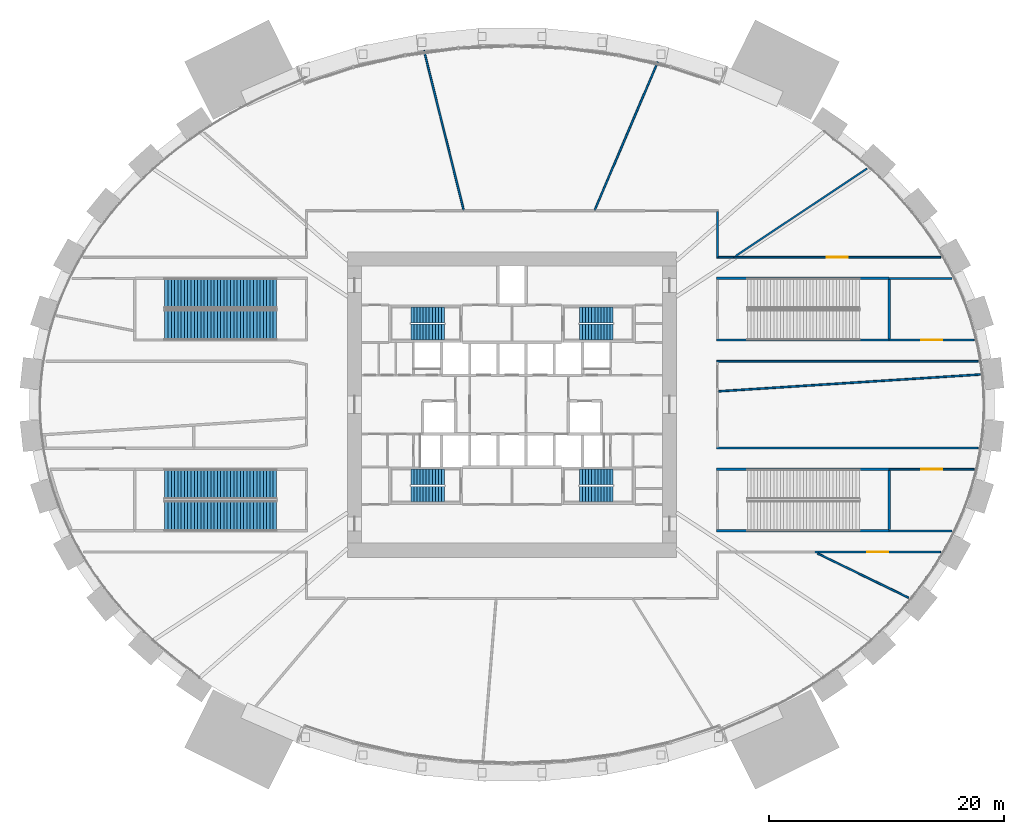
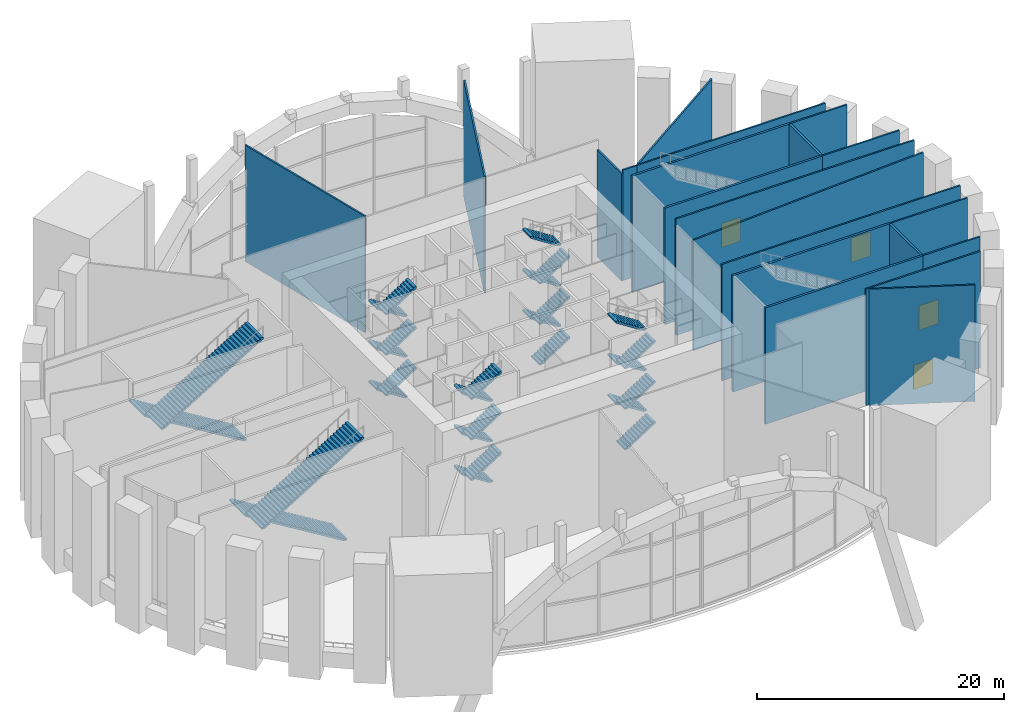
# One storey, part 11 of 21: 28 stair flights, 21 walls, 4 doors, 4 openings, 6 elements without a shape of their own.
"""IFC4 building model written with IfcOpenShell, lengths in metres."""

from ifc_helpers import new_model, si_unit, direction, frame, frame_2d, origin, place, context, subcontext, project, spatial, polyline, rectangle, outline, extrude, source, transform, mapped, material, layer, layer_set, type_object, element, fill, aggregate, save


model = new_model("IFC4")

# Units and contexts
model_context = context("Model", 3, precision=1e-05, world=origin(), true_north=direction((0.0, 1.0)))
body_context = subcontext(model_context, "Body", "Model", "MODEL_VIEW")
ifc_project = project(units=[si_unit("LENGTHUNIT", "METRE"), si_unit("AREAUNIT", "SQUARE_METRE"), si_unit("VOLUMEUNIT", "CUBIC_METRE"), si_unit("PLANEANGLEUNIT", "RADIAN"), si_unit("MASSUNIT", "GRAM", prefix="KILO")], contexts=[model_context])

# Site, building, storey
site_placement = place(None, origin())
site = spatial("IfcSite", under=ifc_project, at=site_placement, CompositionType="ELEMENT")
building_placement = place(site_placement, origin())
building = spatial("IfcBuilding", under=site, at=building_placement, Name="Embergate Tower", CompositionType="ELEMENT")
storey_placement = place(building_placement, frame((0.0, 0.0, 12.0)))
storey = spatial("IfcBuildingStorey", under=building, at=storey_placement, Name="L01", CompositionType="ELEMENT", Elevation=12.0)

# Walls
ifc_material_1 = material(Name="Plasterboard on steel stud", Category="steel")
ifc_layer_1 = layer(ifc_material_1, 0.14990234375)
ifc_layer_set_1 = layer_set([ifc_layer_1], Name="Plasterboard on steel stud")
wall_type_1 = type_object("IfcWallType", Name="Partition wall 150 board", PredefinedType="PARTITIONING", material=ifc_layer_set_1)
shared_shape_1 = source(origin(), body_context, "Body", "SweptSolid", [
    extrude(rectangle(XDim=5.3388671875, YDim=0.14990234375, at=frame_2d((2.66943359375, 0.0))), origin(), (0.0, 0.0, 1.0), 11.5),
])
for number, where, z_axis, x_axis, name in (
    (1, (32.1201171875, 10.75, 0.0), (0.0, 0.0, 1.0), (1.0, 0.0, 0.0), "Partition 064"),
    (2, (37.458984375, -10.75, 0.0), (0.0, 0.0, 1.0), (-1.0, 0.0, 0.0), "Partition 066"),
):
    element("IfcWall", number, at=place(storey_placement, frame(where, z_axis=z_axis, x_axis=x_axis)), inside=storey, type_object=wall_type_1, Name=name, PredefinedType="PARTITIONING", context=body_context, shape_type="MappedRepresentation", body=[
        mapped(shared_shape_1, transform((0.0, 0.0, 0.0))),
    ])
ifc_material_2 = material(Name="Concrete C40", Category="concrete")
ifc_layer_2 = layer(ifc_material_2, 0.199951171875)
ifc_layer_set_2 = layer_set([ifc_layer_2], Name="Concrete C40")
wall_type_2 = type_object("IfcWallType", Name="Stair enclosure wall RC 200", PredefinedType="STANDARD", material=ifc_layer_set_2)
shared_shape_2 = source(origin(), body_context, "Body", "SweptSolid", [
    extrude(rectangle(XDim=14.72021484375, YDim=0.199951171875, at=frame_2d((7.360107421875, 0.0))), origin(), (0.0, 0.0, 1.0), 11.5),
])
for number, where, z_axis, x_axis, name in (
    (3, (17.39990234375, -10.75, 0.0), (0.0, 0.0, 1.0), (1.0, 0.0, 0.0), "Stair wall 047"),
    (4, (17.39990234375, 5.5, 0.0), (0.0, 0.0, 1.0), (1.0, 0.0, 0.0), "Stair wall 052"),
    (5, (32.1201171875, -5.5, 0.0), (0.0, 0.0, 1.0), (-1.0, 0.0, 0.0), "Stair wall 060"),
    (6, (32.1201171875, 10.75, 0.0), (0.0, 0.0, 1.0), (-1.0, 0.0, 0.0), "Stair wall 063"),
):
    element("IfcWall", number, at=place(storey_placement, frame(where, z_axis=z_axis, x_axis=x_axis)), inside=storey, type_object=wall_type_2, Name=name, PredefinedType="STANDARD", context=body_context, shape_type="MappedRepresentation", body=[
        mapped(shared_shape_2, transform((0.0, 0.0, 0.0))),
    ])
shared_shape_3 = source(origin(), body_context, "Body", "SweptSolid", [
    extrude(rectangle(XDim=5.0498046875, YDim=0.199951171875, at=frame_2d((2.52490234375, 0.0))), origin(), (0.0, 0.0, 1.0), 11.5),
])
for number, where, z_axis, x_axis, name in (
    (7, (32.1201171875, -10.64990234375, 0.0), (0.0, 0.0, 1.0), (0.0, 1.0, 0.0), "Stair wall 059"),
    (8, (32.1201171875, 5.60009765625, 0.0), (0.0, 0.0, 1.0), (0.0, 1.0, 0.0), "Stair wall 062"),
):
    element("IfcWall", number, at=place(storey_placement, frame(where, z_axis=z_axis, x_axis=x_axis)), inside=storey, type_object=wall_type_2, Name=name, PredefinedType="STANDARD", context=body_context, shape_type="MappedRepresentation", body=[
        mapped(shared_shape_3, transform((0.0, 0.0, 0.0))),
    ])
shared_shape_4 = source(origin(), body_context, "Body", "SweptSolid", [
    extrude(rectangle(XDim=13.994873046875, YDim=0.14990234375, at=frame_2d((6.99755859375, 0.0))), origin(), (0.0, 0.0, 1.0), 11.5),
])
wall_1_placement = place(storey_placement, frame((-4.117919921875, 16.572998046875, 0.0), z_axis=(0.0, 0.0, 1.0), x_axis=(-0.24109049601, 0.97050263922, 0.0)))
element("IfcWall", 9, at=wall_1_placement, inside=storey, type_object=wall_type_1, Name="Partition 036", PredefinedType="PARTITIONING", context=body_context, shape_type="MappedRepresentation", body=[
    mapped(shared_shape_4, transform((0.0, 0.0, 0.0))),
])
shared_shape_5 = source(origin(), body_context, "Body", "SweptSolid", [
    extrude(rectangle(XDim=13.70556640625, YDim=0.14990234375, at=frame_2d((6.852783203125, 0.0))), origin(), (0.0, 0.0, 1.0), 11.5),
])
wall_2_placement = place(storey_placement, frame((7.047119140625, 16.569091796875, 0.0), z_axis=(0.0, 0.0, 1.0), x_axis=(0.391447660202, 0.92020037455, 0.0)))
element("IfcWall", 10, at=wall_2_placement, inside=storey, type_object=wall_type_1, Name="Partition 040", PredefinedType="PARTITIONING", context=body_context, shape_type="MappedRepresentation", body=[
    mapped(shared_shape_5, transform((0.0, 0.0, 0.0))),
])
shared_shape_6 = source(origin(), body_context, "Body", "SweptSolid", [
    extrude(rectangle(XDim=22.27099609375, YDim=0.14990234375, at=frame_2d((11.135498046875, 0.0))), origin(), (0.0, 0.0, 1.0), 11.5),
])
for number, where, z_axis, x_axis, name in (
    (11, (17.425048828125, 3.699951171875, 0.0), (0.0, 0.0, 1.0), (1.0, 0.0, 0.0), "Partition 051"),
    (12, (39.696044921875, -3.699951171875, 0.0), (0.0, 0.0, 1.0), (-1.0, 0.0, 0.0), "Partition 068"),
):
    element("IfcWall", number, at=place(storey_placement, frame(where, z_axis=z_axis, x_axis=x_axis)), inside=storey, type_object=wall_type_1, Name=name, PredefinedType="PARTITIONING", context=body_context, shape_type="MappedRepresentation", body=[
        mapped(shared_shape_6, transform((0.0, 0.0, 0.0))),
    ])
shared_shape_7 = source(origin(), body_context, "Body", "SweptSolid", [
    extrude(rectangle(XDim=3.949951171875, YDim=0.14990234375, at=frame_2d((1.97509765625, 0.0))), origin(), (0.0, 0.0, 1.0), 10.60009765625),
])
wall_3_placement = place(storey_placement, frame((17.5, 16.425048828125, 0.0), z_axis=(0.0, 0.0, 1.0), x_axis=(0.0, -1.0, 0.0)))
element("IfcWall", 13, at=wall_3_placement, inside=storey, type_object=wall_type_1, Name="Partition 054", PredefinedType="PARTITIONING", context=body_context, shape_type="MappedRepresentation", body=[
    mapped(shared_shape_7, transform((0.0, 0.0, 0.0))),
])
shared_shape_8 = source(origin(), body_context, "Body", "SweptSolid", [
    extrude(rectangle(XDim=1.302978515625, YDim=0.14990234375, at=frame_2d((0.6513671875, 0.0))), origin(), (0.0, 0.0, 1.0), 10.912109375),
])
wall_4_placement = place(storey_placement, frame((18.8779296875, 12.550048828125, 0.0), z_axis=(0.0, 0.0, 1.0), x_axis=(-1.0, 0.0, 0.0)))
element("IfcWall", 14, at=wall_4_placement, inside=storey, type_object=wall_type_1, Name="Partition 055", PredefinedType="PARTITIONING", context=body_context, shape_type="MappedRepresentation", body=[
    mapped(shared_shape_8, transform((0.0, 0.0, 0.0))),
])
shared_shape_9 = source(origin(), body_context, "Body", "SweptSolid", [
    extrude(rectangle(XDim=13.414794921875, YDim=0.14990234375, at=frame_2d((6.70751953125, 0.0))), origin(), (0.0, 0.0, 1.0), 10.912109375),
])
wall_5_placement = place(storey_placement, frame((19.056884765625, 12.6689453125, 0.0), z_axis=(0.0, 0.0, 1.0), x_axis=(0.832752405453, 0.553645582671, 0.0)))
element("IfcWall", 15, at=wall_5_placement, inside=storey, type_object=wall_type_1, Name="Partition 056", PredefinedType="PARTITIONING", context=body_context, shape_type="MappedRepresentation", body=[
    mapped(shared_shape_9, transform((0.0, 0.0, 0.0))),
])
shared_shape_10 = source(origin(), body_context, "Body", "SweptSolid", [
    extrude(rectangle(XDim=8.610107421875, YDim=0.14990234375, at=frame_2d((4.30517578125, 0.0))), origin(), (0.0, 0.0, 1.0), 11.5),
])
wall_6_placement = place(storey_placement, frame((26.02587890625, -12.675048828125, 0.0), z_axis=(0.0, 0.0, 1.0), x_axis=(0.899095761288, -0.437751998321, 0.0)))
element("IfcWall", 16, at=wall_6_placement, inside=storey, type_object=wall_type_1, Name="Partition 057", PredefinedType="PARTITIONING", context=body_context, shape_type="MappedRepresentation", body=[
    mapped(shared_shape_10, transform((0.0, 0.0, 0.0))),
])

# Wall, opening, door
shared_shape_11 = source(origin(), body_context, "Body", "SweptSolid", [
    extrude(rectangle(XDim=10.719970703125, YDim=0.14990234375, at=frame_2d((5.35986328125, 0.0))), origin(), (0.0, 0.0, 1.0), 11.5),
])
wall_7_placement = place(storey_placement, frame((25.77001953125, -12.550048828125, 0.0), z_axis=(0.0, 0.0, 1.0), x_axis=(1.0, 0.0, 0.0)))
wall_7 = element("IfcWall", 17, at=wall_7_placement, inside=storey, type_object=wall_type_1, Name="Partition 058", PredefinedType="PARTITIONING", context=body_context, shape_type="MappedRepresentation", body=[
    mapped(shared_shape_11, transform((0.0, 0.0, 0.0))),
])
shared_shape_12 = source(origin(), body_context, "Body", "SweptSolid", [
    extrude(rectangle(XDim=1.800048828125, YDim=2.39990234375, at=frame_2d((0.89990234375, 1.199951171875))), frame((0.0, 0.0849609375, 0.0), z_axis=(0.0, -1.0, 0.0), x_axis=(1.0, 0.0, 0.0)), (0.0, 0.0, 1.0), 0.169921875),
])
opening_1_placement = place(wall_7_placement, frame((4.4599609375, 0.0, 0.0)))
opening_1 = element("IfcOpeningElement", 18, at=opening_1_placement, cuts=wall_7, Name="Opening DS-039", PredefinedType="OPENING", context=body_context, shape_type="MappedRepresentation", body=[
    mapped(shared_shape_12, transform((0.0, 0.0, 0.0))),
])
ifc_material_3 = material(Name="Timber door leaf, steel frame", Category="steel")
door_type = type_object("IfcDoorType", Name="Double door 1800x2400", OperationType="DOUBLE_DOOR_SINGLE_SWING", PredefinedType="DOOR", material=ifc_material_3)
shared_shape_13 = source(origin(), body_context, "Body", "SweptSolid", [
    extrude(rectangle(XDim=1.800048828125, YDim=2.39990234375, at=frame_2d((0.89990234375, 1.199951171875))), frame((0.0, 0.02490234375, 0.0), z_axis=(0.0, -1.0, 0.0), x_axis=(1.0, 0.0, 0.0)), (0.0, 0.0, 1.0), 0.050048828125),
])
door_1_placement = place(opening_1_placement, origin())
door_1 = element("IfcDoor", 19, at=door_1_placement, inside=storey, type_object=door_type, Name="Door to Cafe", OperationType="SINGLE_SWING_LEFT", OverallHeight=2.39990234375, OverallWidth=1.800048828125, PredefinedType="DOOR", context=body_context, shape_type="MappedRepresentation", body=[
    mapped(shared_shape_13, transform((0.0, 0.0, 0.0))),
])
fill(opening_1, door_1)

shared_shape_14 = source(origin(), body_context, "Body", "SweptSolid", [
    extrude(rectangle(XDim=7.222900390625, YDim=0.14990234375, at=frame_2d((3.611328125, 0.0))), origin(), (0.0, 0.0, 1.0), 11.5),
])
wall_8_placement = place(storey_placement, frame((32.1201171875, -5.5, 0.0), z_axis=(0.0, 0.0, 1.0), x_axis=(1.0, 0.0, 0.0)))
wall_8 = element("IfcWall", 20, at=wall_8_placement, inside=storey, type_object=wall_type_1, Name="Partition 061", PredefinedType="PARTITIONING", context=body_context, shape_type="MappedRepresentation", body=[
    mapped(shared_shape_14, transform((0.0, 0.0, 0.0))),
])
opening_2_placement = place(wall_8_placement, frame((2.7119140625, 0.0, 0.0)))
opening_2 = element("IfcOpeningElement", 21, at=opening_2_placement, cuts=wall_8, Name="Opening DS-040", PredefinedType="OPENING", context=body_context, shape_type="MappedRepresentation", body=[
    mapped(shared_shape_12, transform((0.0, 0.0, 0.0))),
])
door_2_placement = place(opening_2_placement, origin())
door_2 = element("IfcDoor", 22, at=door_2_placement, inside=storey, type_object=door_type, Name="Door to Cafe", OperationType="SINGLE_SWING_LEFT", OverallHeight=2.39990234375, OverallWidth=1.800048828125, PredefinedType="DOOR", context=body_context, shape_type="MappedRepresentation", body=[
    mapped(shared_shape_13, transform((0.0, 0.0, 0.0))),
])
fill(opening_2, door_2)

wall_9_placement = place(storey_placement, frame((39.343017578125, 5.5, 0.0), z_axis=(0.0, 0.0, 1.0), x_axis=(-1.0, 0.0, 0.0)))
wall_9 = element("IfcWall", 23, at=wall_9_placement, inside=storey, type_object=wall_type_1, Name="Partition 067", PredefinedType="PARTITIONING", context=body_context, shape_type="MappedRepresentation", body=[
    mapped(shared_shape_14, transform((0.0, 0.0, 0.0))),
])
opening_3_placement = place(wall_9_placement, frame((2.7119140625, 0.0, 0.0)))
opening_3 = element("IfcOpeningElement", 24, at=opening_3_placement, cuts=wall_9, Name="Opening DS-022", PredefinedType="OPENING", context=body_context, shape_type="MappedRepresentation", body=[
    mapped(shared_shape_12, transform((0.0, 0.0, 0.0))),
])
door_3_placement = place(opening_3_placement, origin())
door_3 = element("IfcDoor", 25, at=door_3_placement, inside=storey, type_object=door_type, Name="Door to Restaurant", OperationType="SINGLE_SWING_LEFT", OverallHeight=2.39990234375, OverallWidth=1.800048828125, PredefinedType="DOOR", context=body_context, shape_type="MappedRepresentation", body=[
    mapped(shared_shape_13, transform((0.0, 0.0, 0.0))),
])
fill(opening_3, door_3)

shared_shape_15 = source(origin(), body_context, "Body", "SweptSolid", [
    extrude(rectangle(XDim=17.612060546875, YDim=0.14990234375, at=frame_2d((8.80615234375, 0.0))), origin(), (0.0, 0.0, 1.0), 10.912109375),
])
wall_10_placement = place(storey_placement, frame((36.489990234375, 12.550048828125, 0.0), z_axis=(0.0, 0.0, 1.0), x_axis=(-1.0, 0.0, 0.0)))
wall_10 = element("IfcWall", 26, at=wall_10_placement, inside=storey, type_object=wall_type_1, Name="Partition 065", PredefinedType="PARTITIONING", context=body_context, shape_type="MappedRepresentation", body=[
    mapped(shared_shape_15, transform((0.0, 0.0, 0.0))),
])
opening_4_placement = place(wall_10_placement, frame((7.906005859375, 0.0, 0.0)))
opening_4 = element("IfcOpeningElement", 27, at=opening_4_placement, cuts=wall_10, Name="Opening DS-023", PredefinedType="OPENING", context=body_context, shape_type="MappedRepresentation", body=[
    mapped(shared_shape_12, transform((0.0, 0.0, 0.0))),
])
door_4_placement = place(opening_4_placement, origin())
door_4 = element("IfcDoor", 28, at=door_4_placement, inside=storey, type_object=door_type, Name="Door to Restaurant", OperationType="SINGLE_SWING_LEFT", OverallHeight=2.39990234375, OverallWidth=1.800048828125, PredefinedType="DOOR", context=body_context, shape_type="MappedRepresentation", body=[
    mapped(shared_shape_13, transform((0.0, 0.0, 0.0))),
])
fill(opening_4, door_4)

# Wall
shared_shape_16 = source(origin(), body_context, "Body", "SweptSolid", [
    extrude(rectangle(XDim=22.3291015625, YDim=0.14990234375, at=frame_2d((11.16455078125, 0.0))), origin(), (0.0, 0.0, 1.0), 10.912109375),
])
wall_11_placement = place(storey_placement, frame((39.85791015625, 2.56591796875, 0.0), z_axis=(0.0, 0.0, 1.0), x_axis=(-0.997936149244, -0.064214032984, 0.0)))
element("IfcWall", 29, at=wall_11_placement, inside=storey, type_object=wall_type_1, Name="Partition 069", PredefinedType="PARTITIONING", context=body_context, shape_type="MappedRepresentation", body=[
    mapped(shared_shape_16, transform((0.0, 0.0, 0.0))),
])

# Stair, stair flights
ifc_material_4 = material(Name="Exit stair")
stair_type_1 = type_object("IfcStairType", Name="Exit stair", PredefinedType="HALF_TURN_STAIR", material=ifc_material_4)
stair_1_placement = place(storey_placement, origin())
stair_1 = element("IfcStair", 30, at=stair_1_placement, inside=storey, type_object=stair_type_1, Name="L01 Exit stair 1", PredefinedType="HALF_TURN_STAIR")
stair_flight_type_1 = type_object("IfcStairFlightType", Name="Stair flight reinforced concrete", PredefinedType="STRAIGHT", material=ifc_material_2)
shared_shape_17 = source(origin(), body_context, "Body", "SweptSolid", [
    extrude(outline(polyline([(0.0, 0.0), (0.0, 0.166748046875), (0.260009765625, 0.166748046875), (0.260009765625, 0.333251953125), (0.52001953125, 0.333251953125), (0.52001953125, 0.5), (0.780029296875, 0.5), (0.780029296875, 0.666748046875), (1.0400390625, 0.666748046875), (1.0400390625, 0.833251953125), (1.300048828125, 0.833251953125), (1.300048828125, 1.0), (1.56005859375, 1.0), (1.56005859375, 1.166748046875), (1.820068359375, 1.166748046875), (1.820068359375, 1.333251953125), (2.080078125, 1.333251953125), (2.080078125, 1.5), (2.340087890625, 1.5), (2.340087890625, 1.666748046875), (2.60009765625, 1.666748046875), (2.60009765625, 1.833251953125), (2.860107421875, 1.833251953125), (2.860107421875, 2.0), (2.860107421875, 1.6552734375), (0.27783203125, 0.0), (0.0, 0.0)])), frame((0.0, 0.675048828125, 0.0), z_axis=(0.0, -1.0, 0.0), x_axis=(1.0, 0.0, 0.0)), (0.0, 0.0, 1.0), 1.35009765625),
])
stair_flight_1_placement = place(storey_placement, frame((-5.75, 7.625, 0.0), z_axis=(0.0, 0.0, 1.0), x_axis=(-1.0, 0.0, 0.0)))
stair_flight_1 = element("IfcStairFlight", 31, at=stair_flight_1_placement, type_object=stair_flight_type_1, Name="ST1 flight 1", NumberOfRisers=12, NumberOfTreads=11, PredefinedType="STRAIGHT", RiserHeight=0.166666667, TreadLength=0.26, context=body_context, shape_type="MappedRepresentation", body=[
    mapped(shared_shape_17, transform((0.0, 0.0, 0.0))),
])
stair_flight_2_placement = place(storey_placement, frame((-8.610107421875, 6.175048828125, 2.0), z_axis=(0.0, 0.0, 1.0), x_axis=(1.0, 0.0, 0.0)))
stair_flight_2 = element("IfcStairFlight", 32, at=stair_flight_2_placement, type_object=stair_flight_type_1, Name="ST1 flight 2", NumberOfRisers=12, NumberOfTreads=11, PredefinedType="STRAIGHT", RiserHeight=0.166666667, TreadLength=0.26, context=body_context, shape_type="MappedRepresentation", body=[
    mapped(shared_shape_17, transform((0.0, 0.0, 0.0))),
])
stair_flight_3_placement = place(storey_placement, frame((-5.75, 7.625, 4.0), z_axis=(0.0, 0.0, 1.0), x_axis=(-1.0, 0.0, 0.0)))
stair_flight_3 = element("IfcStairFlight", 33, at=stair_flight_3_placement, type_object=stair_flight_type_1, Name="ST1 flight 3", NumberOfRisers=12, NumberOfTreads=11, PredefinedType="STRAIGHT", RiserHeight=0.166666667, TreadLength=0.26, context=body_context, shape_type="MappedRepresentation", body=[
    mapped(shared_shape_17, transform((0.0, 0.0, 0.0))),
])
stair_flight_4_placement = place(storey_placement, frame((-8.610107421875, 6.175048828125, 6.0), z_axis=(0.0, 0.0, 1.0), x_axis=(1.0, 0.0, 0.0)))
stair_flight_4 = element("IfcStairFlight", 34, at=stair_flight_4_placement, type_object=stair_flight_type_1, Name="ST1 flight 4", NumberOfRisers=12, NumberOfTreads=11, PredefinedType="STRAIGHT", RiserHeight=0.166666667, TreadLength=0.26, context=body_context, shape_type="MappedRepresentation", body=[
    mapped(shared_shape_17, transform((0.0, 0.0, 0.0))),
])
stair_flight_5_placement = place(storey_placement, frame((-5.75, 7.625, 8.0), z_axis=(0.0, 0.0, 1.0), x_axis=(-1.0, 0.0, 0.0)))
stair_flight_5 = element("IfcStairFlight", 35, at=stair_flight_5_placement, type_object=stair_flight_type_1, Name="ST1 flight 5", NumberOfRisers=12, NumberOfTreads=11, PredefinedType="STRAIGHT", RiserHeight=0.166666667, TreadLength=0.26, context=body_context, shape_type="MappedRepresentation", body=[
    mapped(shared_shape_17, transform((0.0, 0.0, 0.0))),
])
stair_flight_6_placement = place(storey_placement, frame((-8.610107421875, 6.175048828125, 10.0), z_axis=(0.0, 0.0, 1.0), x_axis=(1.0, 0.0, 0.0)))
stair_flight_6 = element("IfcStairFlight", 36, at=stair_flight_6_placement, type_object=stair_flight_type_1, Name="ST1 flight 6", NumberOfRisers=12, NumberOfTreads=11, PredefinedType="STRAIGHT", RiserHeight=0.166666667, TreadLength=0.26, context=body_context, shape_type="MappedRepresentation", body=[
    mapped(shared_shape_17, transform((0.0, 0.0, 0.0))),
])
aggregate(stair_1, [stair_flight_1, stair_flight_2, stair_flight_3, stair_flight_4, stair_flight_5, stair_flight_6])

stair_2_placement = place(storey_placement, origin())
stair_2 = element("IfcStair", 37, at=stair_2_placement, inside=storey, type_object=stair_type_1, Name="L01 Exit stair 2", PredefinedType="HALF_TURN_STAIR")
stair_flight_7_placement = place(storey_placement, frame((5.75, 6.175048828125, 0.0), z_axis=(0.0, 0.0, 1.0), x_axis=(1.0, 0.0, 0.0)))
stair_flight_7 = element("IfcStairFlight", 38, at=stair_flight_7_placement, type_object=stair_flight_type_1, Name="ST2 flight 1", NumberOfRisers=12, NumberOfTreads=11, PredefinedType="STRAIGHT", RiserHeight=0.166666667, TreadLength=0.26, context=body_context, shape_type="MappedRepresentation", body=[
    mapped(shared_shape_17, transform((0.0, 0.0, 0.0))),
])
stair_flight_8_placement = place(storey_placement, frame((8.610107421875, 7.625, 2.0), z_axis=(0.0, 0.0, 1.0), x_axis=(-1.0, 0.0, 0.0)))
stair_flight_8 = element("IfcStairFlight", 39, at=stair_flight_8_placement, type_object=stair_flight_type_1, Name="ST2 flight 2", NumberOfRisers=12, NumberOfTreads=11, PredefinedType="STRAIGHT", RiserHeight=0.166666667, TreadLength=0.26, context=body_context, shape_type="MappedRepresentation", body=[
    mapped(shared_shape_17, transform((0.0, 0.0, 0.0))),
])
stair_flight_9_placement = place(storey_placement, frame((5.75, 6.175048828125, 4.0), z_axis=(0.0, 0.0, 1.0), x_axis=(1.0, 0.0, 0.0)))
stair_flight_9 = element("IfcStairFlight", 40, at=stair_flight_9_placement, type_object=stair_flight_type_1, Name="ST2 flight 3", NumberOfRisers=12, NumberOfTreads=11, PredefinedType="STRAIGHT", RiserHeight=0.166666667, TreadLength=0.26, context=body_context, shape_type="MappedRepresentation", body=[
    mapped(shared_shape_17, transform((0.0, 0.0, 0.0))),
])
stair_flight_10_placement = place(storey_placement, frame((8.610107421875, 7.625, 6.0), z_axis=(0.0, 0.0, 1.0), x_axis=(-1.0, 0.0, 0.0)))
stair_flight_10 = element("IfcStairFlight", 41, at=stair_flight_10_placement, type_object=stair_flight_type_1, Name="ST2 flight 4", NumberOfRisers=12, NumberOfTreads=11, PredefinedType="STRAIGHT", RiserHeight=0.166666667, TreadLength=0.26, context=body_context, shape_type="MappedRepresentation", body=[
    mapped(shared_shape_17, transform((0.0, 0.0, 0.0))),
])
stair_flight_11_placement = place(storey_placement, frame((5.75, 6.175048828125, 8.0), z_axis=(0.0, 0.0, 1.0), x_axis=(1.0, 0.0, 0.0)))
stair_flight_11 = element("IfcStairFlight", 42, at=stair_flight_11_placement, type_object=stair_flight_type_1, Name="ST2 flight 5", NumberOfRisers=12, NumberOfTreads=11, PredefinedType="STRAIGHT", RiserHeight=0.166666667, TreadLength=0.26, context=body_context, shape_type="MappedRepresentation", body=[
    mapped(shared_shape_17, transform((0.0, 0.0, 0.0))),
])
stair_flight_12_placement = place(storey_placement, frame((8.610107421875, 7.625, 10.0), z_axis=(0.0, 0.0, 1.0), x_axis=(-1.0, 0.0, 0.0)))
stair_flight_12 = element("IfcStairFlight", 43, at=stair_flight_12_placement, type_object=stair_flight_type_1, Name="ST2 flight 6", NumberOfRisers=12, NumberOfTreads=11, PredefinedType="STRAIGHT", RiserHeight=0.166666667, TreadLength=0.26, context=body_context, shape_type="MappedRepresentation", body=[
    mapped(shared_shape_17, transform((0.0, 0.0, 0.0))),
])
aggregate(stair_2, [stair_flight_7, stair_flight_8, stair_flight_9, stair_flight_10, stair_flight_11, stair_flight_12])

stair_3_placement = place(storey_placement, origin())
stair_3 = element("IfcStair", 44, at=stair_3_placement, inside=storey, type_object=stair_type_1, Name="L01 Exit stair 3", PredefinedType="HALF_TURN_STAIR")
stair_flight_13_placement = place(storey_placement, frame((-5.75, -6.175048828125, 0.0), z_axis=(0.0, 0.0, 1.0), x_axis=(-1.0, 0.0, 0.0)))
stair_flight_13 = element("IfcStairFlight", 45, at=stair_flight_13_placement, type_object=stair_flight_type_1, Name="ST3 flight 1", NumberOfRisers=12, NumberOfTreads=11, PredefinedType="STRAIGHT", RiserHeight=0.166666667, TreadLength=0.26, context=body_context, shape_type="MappedRepresentation", body=[
    mapped(shared_shape_17, transform((0.0, 0.0, 0.0))),
])
stair_flight_14_placement = place(storey_placement, frame((-8.610107421875, -7.625, 2.0), z_axis=(0.0, 0.0, 1.0), x_axis=(1.0, 0.0, 0.0)))
stair_flight_14 = element("IfcStairFlight", 46, at=stair_flight_14_placement, type_object=stair_flight_type_1, Name="ST3 flight 2", NumberOfRisers=12, NumberOfTreads=11, PredefinedType="STRAIGHT", RiserHeight=0.166666667, TreadLength=0.26, context=body_context, shape_type="MappedRepresentation", body=[
    mapped(shared_shape_17, transform((0.0, 0.0, 0.0))),
])
stair_flight_15_placement = place(storey_placement, frame((-5.75, -6.175048828125, 4.0), z_axis=(0.0, 0.0, 1.0), x_axis=(-1.0, 0.0, 0.0)))
stair_flight_15 = element("IfcStairFlight", 47, at=stair_flight_15_placement, type_object=stair_flight_type_1, Name="ST3 flight 3", NumberOfRisers=12, NumberOfTreads=11, PredefinedType="STRAIGHT", RiserHeight=0.166666667, TreadLength=0.26, context=body_context, shape_type="MappedRepresentation", body=[
    mapped(shared_shape_17, transform((0.0, 0.0, 0.0))),
])
stair_flight_16_placement = place(storey_placement, frame((-8.610107421875, -7.625, 6.0), z_axis=(0.0, 0.0, 1.0), x_axis=(1.0, 0.0, 0.0)))
stair_flight_16 = element("IfcStairFlight", 48, at=stair_flight_16_placement, type_object=stair_flight_type_1, Name="ST3 flight 4", NumberOfRisers=12, NumberOfTreads=11, PredefinedType="STRAIGHT", RiserHeight=0.166666667, TreadLength=0.26, context=body_context, shape_type="MappedRepresentation", body=[
    mapped(shared_shape_17, transform((0.0, 0.0, 0.0))),
])
stair_flight_17_placement = place(storey_placement, frame((-5.75, -6.175048828125, 8.0), z_axis=(0.0, 0.0, 1.0), x_axis=(-1.0, 0.0, 0.0)))
stair_flight_17 = element("IfcStairFlight", 49, at=stair_flight_17_placement, type_object=stair_flight_type_1, Name="ST3 flight 5", NumberOfRisers=12, NumberOfTreads=11, PredefinedType="STRAIGHT", RiserHeight=0.166666667, TreadLength=0.26, context=body_context, shape_type="MappedRepresentation", body=[
    mapped(shared_shape_17, transform((0.0, 0.0, 0.0))),
])
stair_flight_18_placement = place(storey_placement, frame((-8.610107421875, -7.625, 10.0), z_axis=(0.0, 0.0, 1.0), x_axis=(1.0, 0.0, 0.0)))
stair_flight_18 = element("IfcStairFlight", 50, at=stair_flight_18_placement, type_object=stair_flight_type_1, Name="ST3 flight 6", NumberOfRisers=12, NumberOfTreads=11, PredefinedType="STRAIGHT", RiserHeight=0.166666667, TreadLength=0.26, context=body_context, shape_type="MappedRepresentation", body=[
    mapped(shared_shape_17, transform((0.0, 0.0, 0.0))),
])
aggregate(stair_3, [stair_flight_13, stair_flight_14, stair_flight_15, stair_flight_16, stair_flight_17, stair_flight_18])

stair_4_placement = place(storey_placement, origin())
stair_4 = element("IfcStair", 51, at=stair_4_placement, inside=storey, type_object=stair_type_1, Name="L01 Exit stair 4", PredefinedType="HALF_TURN_STAIR")
stair_flight_19_placement = place(storey_placement, frame((5.75, -7.625, 0.0), z_axis=(0.0, 0.0, 1.0), x_axis=(1.0, 0.0, 0.0)))
stair_flight_19 = element("IfcStairFlight", 52, at=stair_flight_19_placement, type_object=stair_flight_type_1, Name="ST4 flight 1", NumberOfRisers=12, NumberOfTreads=11, PredefinedType="STRAIGHT", RiserHeight=0.166666667, TreadLength=0.26, context=body_context, shape_type="MappedRepresentation", body=[
    mapped(shared_shape_17, transform((0.0, 0.0, 0.0))),
])
stair_flight_20_placement = place(storey_placement, frame((8.610107421875, -6.175048828125, 2.0), z_axis=(0.0, 0.0, 1.0), x_axis=(-1.0, 0.0, 0.0)))
stair_flight_20 = element("IfcStairFlight", 53, at=stair_flight_20_placement, type_object=stair_flight_type_1, Name="ST4 flight 2", NumberOfRisers=12, NumberOfTreads=11, PredefinedType="STRAIGHT", RiserHeight=0.166666667, TreadLength=0.26, context=body_context, shape_type="MappedRepresentation", body=[
    mapped(shared_shape_17, transform((0.0, 0.0, 0.0))),
])
stair_flight_21_placement = place(storey_placement, frame((5.75, -7.625, 4.0), z_axis=(0.0, 0.0, 1.0), x_axis=(1.0, 0.0, 0.0)))
stair_flight_21 = element("IfcStairFlight", 54, at=stair_flight_21_placement, type_object=stair_flight_type_1, Name="ST4 flight 3", NumberOfRisers=12, NumberOfTreads=11, PredefinedType="STRAIGHT", RiserHeight=0.166666667, TreadLength=0.26, context=body_context, shape_type="MappedRepresentation", body=[
    mapped(shared_shape_17, transform((0.0, 0.0, 0.0))),
])
stair_flight_22_placement = place(storey_placement, frame((8.610107421875, -6.175048828125, 6.0), z_axis=(0.0, 0.0, 1.0), x_axis=(-1.0, 0.0, 0.0)))
stair_flight_22 = element("IfcStairFlight", 55, at=stair_flight_22_placement, type_object=stair_flight_type_1, Name="ST4 flight 4", NumberOfRisers=12, NumberOfTreads=11, PredefinedType="STRAIGHT", RiserHeight=0.166666667, TreadLength=0.26, context=body_context, shape_type="MappedRepresentation", body=[
    mapped(shared_shape_17, transform((0.0, 0.0, 0.0))),
])
stair_flight_23_placement = place(storey_placement, frame((5.75, -7.625, 8.0), z_axis=(0.0, 0.0, 1.0), x_axis=(1.0, 0.0, 0.0)))
stair_flight_23 = element("IfcStairFlight", 56, at=stair_flight_23_placement, type_object=stair_flight_type_1, Name="ST4 flight 5", NumberOfRisers=12, NumberOfTreads=11, PredefinedType="STRAIGHT", RiserHeight=0.166666667, TreadLength=0.26, context=body_context, shape_type="MappedRepresentation", body=[
    mapped(shared_shape_17, transform((0.0, 0.0, 0.0))),
])
stair_flight_24_placement = place(storey_placement, frame((8.610107421875, -6.175048828125, 10.0), z_axis=(0.0, 0.0, 1.0), x_axis=(-1.0, 0.0, 0.0)))
stair_flight_24 = element("IfcStairFlight", 57, at=stair_flight_24_placement, type_object=stair_flight_type_1, Name="ST4 flight 6", NumberOfRisers=12, NumberOfTreads=11, PredefinedType="STRAIGHT", RiserHeight=0.166666667, TreadLength=0.26, context=body_context, shape_type="MappedRepresentation", body=[
    mapped(shared_shape_17, transform((0.0, 0.0, 0.0))),
])
aggregate(stair_4, [stair_flight_19, stair_flight_20, stair_flight_21, stair_flight_22, stair_flight_23, stair_flight_24])

stair_type_2 = type_object("IfcStairType", Name="Podium exit stair RC", PredefinedType="HALF_TURN_STAIR", material=ifc_material_2)
stair_5_placement = place(storey_placement, origin())
stair_5 = element("IfcStair", 58, at=stair_5_placement, inside=storey, type_object=stair_type_2, Name="L01 Podium exit stair 3", PredefinedType="HALF_TURN_STAIR")
stair_flight_type_2 = type_object("IfcStairFlightType", Name="Podium exit stair flight RC", PredefinedType="STRAIGHT", material=ifc_material_2)
shared_shape_18 = source(origin(), body_context, "Body", "SweptSolid", [
    extrude(outline(polyline([(0.0, 0.0), (0.0, 0.17138671875), (0.280029296875, 0.17138671875), (0.280029296875, 0.3427734375), (0.56005859375, 0.3427734375), (0.56005859375, 0.514404296875), (0.840087890625, 0.514404296875), (0.840087890625, 0.685791015625), (1.1201171875, 0.685791015625), (1.1201171875, 0.857177734375), (1.39990234375, 0.857177734375), (1.39990234375, 1.028564453125), (1.679931640625, 1.028564453125), (1.679931640625, 1.199951171875), (1.9599609375, 1.199951171875), (1.9599609375, 1.371337890625), (2.239990234375, 1.371337890625), (2.239990234375, 1.54296875), (2.52001953125, 1.54296875), (2.52001953125, 1.71435546875), (2.800048828125, 1.71435546875), (2.800048828125, 1.8857421875), (3.080078125, 1.8857421875), (3.080078125, 2.05712890625), (3.360107421875, 2.05712890625), (3.360107421875, 2.228515625), (3.639892578125, 2.228515625), (3.639892578125, 2.39990234375), (3.919921875, 2.39990234375), (3.919921875, 2.571533203125), (4.199951171875, 2.571533203125), (4.199951171875, 2.742919921875), (4.47998046875, 2.742919921875), (4.47998046875, 2.914306640625), (4.760009765625, 2.914306640625), (4.760009765625, 3.085693359375), (5.0400390625, 3.085693359375), (5.0400390625, 3.257080078125), (5.320068359375, 3.257080078125), (5.320068359375, 3.428466796875), (5.60009765625, 3.428466796875), (5.60009765625, 3.60009765625), (5.8798828125, 3.60009765625), (5.8798828125, 3.771484375), (6.159912109375, 3.771484375), (6.159912109375, 3.94287109375), (6.43994140625, 3.94287109375), (6.43994140625, 4.1142578125), (6.719970703125, 4.1142578125), (6.719970703125, 4.28564453125), (7.0, 4.28564453125), (7.0, 4.45703125), (7.280029296875, 4.45703125), (7.280029296875, 4.628662109375), (7.56005859375, 4.628662109375), (7.56005859375, 4.800048828125), (7.840087890625, 4.800048828125), (7.840087890625, 4.971435546875), (8.1201171875, 4.971435546875), (8.1201171875, 5.142822265625), (8.39990234375, 5.142822265625), (8.39990234375, 5.314208984375), (8.679931640625, 5.314208984375), (8.679931640625, 5.485595703125), (8.9599609375, 5.485595703125), (8.9599609375, 5.6572265625), (9.239990234375, 5.6572265625), (9.239990234375, 5.82861328125), (9.52001953125, 5.82861328125), (9.52001953125, 6.0), (9.52001953125, 5.65283203125), (0.287109375, 0.0), (0.0, 0.0)])), frame((0.0, 1.27490234375, 0.0), z_axis=(0.0, -1.0, 0.0), x_axis=(1.0, 0.0, 0.0)), (0.0, 0.0, 1.0), 2.550048828125),
])
stair_flight_25_placement = place(storey_placement, frame((-20.050048828125, 9.47509765625, 0.0), z_axis=(0.0, 0.0, 1.0), x_axis=(-1.0, 0.0, 0.0)))
stair_flight_25 = element("IfcStairFlight", 59, at=stair_flight_25_placement, type_object=stair_flight_type_2, Name="P3 flight 1", NumberOfRisers=35, NumberOfTreads=34, PredefinedType="STRAIGHT", RiserHeight=0.171428571, TreadLength=0.28, context=body_context, shape_type="MappedRepresentation", body=[
    mapped(shared_shape_18, transform((0.0, 0.0, 0.0))),
])
stair_flight_26_placement = place(storey_placement, frame((-29.570068359375, 6.77490234375, 6.0), z_axis=(0.0, 0.0, 1.0), x_axis=(1.0, 0.0, 0.0)))
stair_flight_26 = element("IfcStairFlight", 60, at=stair_flight_26_placement, type_object=stair_flight_type_2, Name="P3 flight 2", NumberOfRisers=35, NumberOfTreads=34, PredefinedType="STRAIGHT", RiserHeight=0.171428571, TreadLength=0.28, context=body_context, shape_type="MappedRepresentation", body=[
    mapped(shared_shape_18, transform((0.0, 0.0, 0.0))),
])
aggregate(stair_5, [stair_flight_25, stair_flight_26])

stair_6_placement = place(storey_placement, origin())
stair_6 = element("IfcStair", 61, at=stair_6_placement, inside=storey, type_object=stair_type_2, Name="L01 Podium exit stair 4", PredefinedType="HALF_TURN_STAIR")
stair_flight_27_placement = place(storey_placement, frame((-20.050048828125, -6.77490234375, 0.0), z_axis=(0.0, 0.0, 1.0), x_axis=(-1.0, 0.0, 0.0)))
stair_flight_27 = element("IfcStairFlight", 62, at=stair_flight_27_placement, type_object=stair_flight_type_2, Name="P4 flight 1", NumberOfRisers=35, NumberOfTreads=34, PredefinedType="STRAIGHT", RiserHeight=0.171428571, TreadLength=0.28, context=body_context, shape_type="MappedRepresentation", body=[
    mapped(shared_shape_18, transform((0.0, 0.0, 0.0))),
])
stair_flight_28_placement = place(storey_placement, frame((-29.570068359375, -9.47509765625, 6.0), z_axis=(0.0, 0.0, 1.0), x_axis=(1.0, 0.0, 0.0)))
stair_flight_28 = element("IfcStairFlight", 63, at=stair_flight_28_placement, type_object=stair_flight_type_2, Name="P4 flight 2", NumberOfRisers=35, NumberOfTreads=34, PredefinedType="STRAIGHT", RiserHeight=0.171428571, TreadLength=0.28, context=body_context, shape_type="MappedRepresentation", body=[
    mapped(shared_shape_18, transform((0.0, 0.0, 0.0))),
])
aggregate(stair_6, [stair_flight_27, stair_flight_28])

save(model, "model.ifc")
